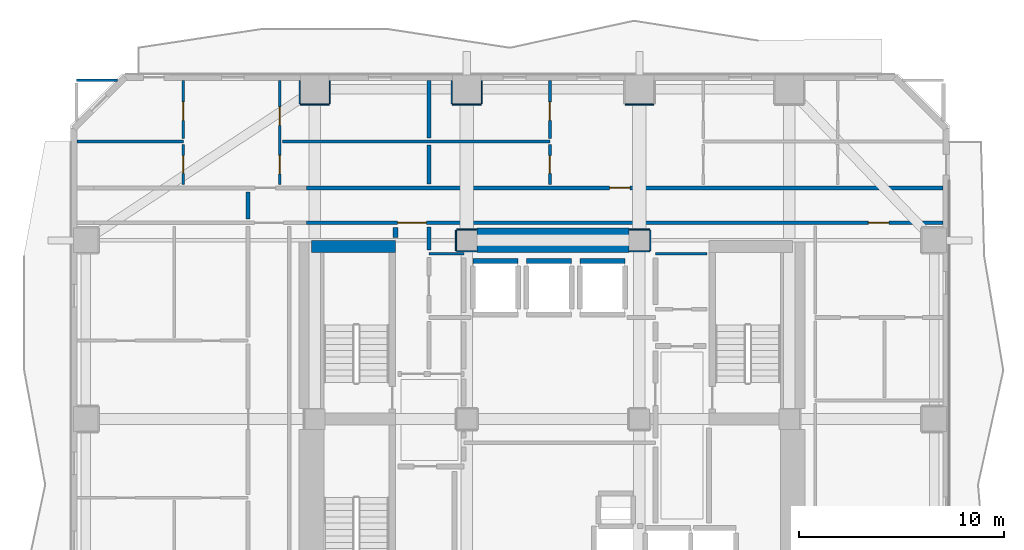
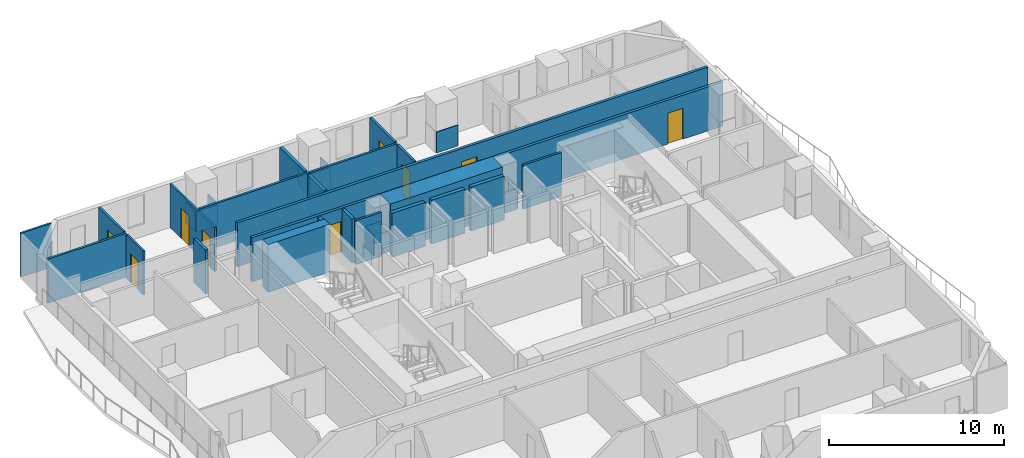
# One storey, part 6 of 11: 35 walls, 9 doors, 9 openings.
"""IFC4 building model written with IfcOpenShell, lengths in metres."""

from ifc_helpers import new_model, si_unit, direction, frame, frame_2d, origin, place, context, subcontext, project, spatial, rectangle, extrude, material, layer, layer_set, type_object, element, fill, save


model = new_model("IFC4")

# Units and contexts
model_context = context("Model", 3, precision=1e-05, world=origin(), true_north=direction((0.0, 1.0)))
body_context = subcontext(model_context, "Body", "Model", "MODEL_VIEW")
ifc_project = project(units=[si_unit("LENGTHUNIT", "METRE"), si_unit("AREAUNIT", "SQUARE_METRE"), si_unit("VOLUMEUNIT", "CUBIC_METRE"), si_unit("PLANEANGLEUNIT", "RADIAN"), si_unit("MASSUNIT", "GRAM", prefix="KILO")], contexts=[model_context])

# Site, building, storey
site_placement = place(None, origin())
site = spatial("IfcSite", under=ifc_project, at=site_placement, CompositionType="ELEMENT")
building_placement = place(site_placement, origin())
building = spatial("IfcBuilding", under=site, at=building_placement, Name="Solanera Arch Residences", CompositionType="ELEMENT")
storey_placement = place(building_placement, frame((0.0, 0.0, 35.280029296875)))
storey = spatial("IfcBuildingStorey", under=building, at=storey_placement, Name="L09", CompositionType="ELEMENT", Elevation=35.280029296875)

# Walls
ifc_material_1 = material(Name="Fire-Rated Gypsum Stud Partition", Category="gypsum")
ifc_layer_1 = layer(ifc_material_1, 0.06005859375)
ifc_layer_set_1 = layer_set([ifc_layer_1], Name="Fire-Rated Gypsum Stud Partition")
wall_type_1 = type_object("IfcWallType", Name="Column Acoustic Furring Wall 60", PredefinedType="PARTITIONING", material=ifc_layer_set_1)
for number, where, z_axis, x_axis, name in (
    (1, (20.300048828125, 38.867919921875, 0.0), (0.0, 0.0, 1.0), (1.0, 0.0, 0.0), "L09 Column Furring 3S"),
    (2, (20.300048828125, 39.931884765625, 0.0), (0.0, 0.0, 1.0), (1.0, 0.0, 0.0), "L09 Column Furring 3N"),
):
    element("IfcWall", number, at=place(storey_placement, frame(where, z_axis=z_axis, x_axis=x_axis)), inside=storey, type_object=wall_type_1, Name=name, PredefinedType="PARTITIONING", context=body_context, shape_type="SweptSolid", body=[
        extrude(rectangle(XDim=0.989990234375, YDim=0.06005859375, at=frame_2d((0.4951171875, 0.0))), origin(), (0.0, 0.0, 1.0), 1.449951171875),
    ])
wall_1_placement = place(storey_placement, frame((20.26806640625, 38.89990234375, 0.0), z_axis=(0.0, 0.0, 1.0), x_axis=(0.0, 1.0, 0.0)))
element("IfcWall", 3, at=wall_1_placement, inside=storey, type_object=wall_type_1, Name="L09 Column Furring 3W", PredefinedType="PARTITIONING", context=body_context, shape_type="SweptSolid", body=[
    extrude(rectangle(XDim=1.0, YDim=0.06005859375, at=frame_2d((0.5, 0.0))), origin(), (0.0, 0.0, 1.0), 1.449951171875),
])
for number, where, z_axis, x_axis, name in (
    (4, (28.7099609375, 38.867919921875, 0.0), (0.0, 0.0, 1.0), (1.0, 0.0, 0.0), "L09 Column Furring 4S"),
    (5, (28.7099609375, 39.931884765625, 0.0), (0.0, 0.0, 1.0), (1.0, 0.0, 0.0), "L09 Column Furring 4N"),
):
    element("IfcWall", number, at=place(storey_placement, frame(where, z_axis=z_axis, x_axis=x_axis)), inside=storey, type_object=wall_type_1, Name=name, PredefinedType="PARTITIONING", context=body_context, shape_type="SweptSolid", body=[
        extrude(rectangle(XDim=0.989990234375, YDim=0.06005859375, at=frame_2d((0.4951171875, 0.0))), origin(), (0.0, 0.0, 1.0), 1.449951171875),
    ])
wall_2_placement = place(storey_placement, frame((29.73193359375, 38.89990234375, 0.0), z_axis=(0.0, 0.0, 1.0), x_axis=(0.0, 1.0, 0.0)))
element("IfcWall", 6, at=wall_2_placement, inside=storey, type_object=wall_type_1, Name="L09 Column Furring 4E", PredefinedType="PARTITIONING", context=body_context, shape_type="SweptSolid", body=[
    extrude(rectangle(XDim=1.0, YDim=0.06005859375, at=frame_2d((0.5, 0.0))), origin(), (0.0, 0.0, 1.0), 1.449951171875),
])
wall_3_placement = place(storey_placement, frame((12.699951171875, 46.01806640625, 0.0), z_axis=(0.0, 0.0, 1.0), x_axis=(1.0, 0.0, 0.0)))
element("IfcWall", 7, at=wall_3_placement, inside=storey, type_object=wall_type_1, Name="L09 Column Furring 10S", PredefinedType="PARTITIONING", context=body_context, shape_type="SweptSolid", body=[
    extrude(rectangle(XDim=1.400146484375, YDim=0.06005859375, at=frame_2d((0.7001953125, 0.0))), origin(), (0.0, 0.0, 1.0), 1.449951171875),
])
for number, where, z_axis, x_axis, name in (
    (8, (12.66796875, 46.050048828125, 0.0), (0.0, 0.0, 1.0), (0.0, 1.0, 0.0), "L09 Column Furring 10W"),
    (9, (14.132080078125, 46.050048828125, 0.0), (0.0, 0.0, 1.0), (0.0, 1.0, 0.0), "L09 Column Furring 10E"),
):
    element("IfcWall", number, at=place(storey_placement, frame(where, z_axis=z_axis, x_axis=x_axis)), inside=storey, type_object=wall_type_1, Name=name, PredefinedType="PARTITIONING", context=body_context, shape_type="SweptSolid", body=[
        extrude(rectangle(XDim=1.119873046875, YDim=0.06005859375, at=frame_2d((0.56005859375, 0.0))), origin(), (0.0, 0.0, 1.0), 1.449951171875),
    ])
wall_4_placement = place(storey_placement, frame((20.10009765625, 46.01806640625, 0.0), z_axis=(0.0, 0.0, 1.0), x_axis=(1.0, 0.0, 0.0)))
element("IfcWall", 10, at=wall_4_placement, inside=storey, type_object=wall_type_1, Name="L09 Column Furring 12S", PredefinedType="PARTITIONING", context=body_context, shape_type="SweptSolid", body=[
    extrude(rectangle(XDim=1.39990234375, YDim=0.06005859375, at=frame_2d((0.699951171875, 0.0))), origin(), (0.0, 0.0, 1.0), 1.449951171875),
])
for number, where, z_axis, x_axis, name in (
    (11, (20.068115234375, 46.050048828125, 0.0), (0.0, 0.0, 1.0), (0.0, 1.0, 0.0), "L09 Column Furring 12W"),
    (12, (21.531982421875, 46.050048828125, 0.0), (0.0, 0.0, 1.0), (0.0, 1.0, 0.0), "L09 Column Furring 12E"),
):
    element("IfcWall", number, at=place(storey_placement, frame(where, z_axis=z_axis, x_axis=x_axis)), inside=storey, type_object=wall_type_1, Name=name, PredefinedType="PARTITIONING", context=body_context, shape_type="SweptSolid", body=[
        extrude(rectangle(XDim=1.119873046875, YDim=0.06005859375, at=frame_2d((0.56005859375, 0.0))), origin(), (0.0, 0.0, 1.0), 1.449951171875),
    ])
wall_5_placement = place(storey_placement, frame((28.5, 46.01806640625, 0.0), z_axis=(0.0, 0.0, 1.0), x_axis=(1.0, 0.0, 0.0)))
element("IfcWall", 13, at=wall_5_placement, inside=storey, type_object=wall_type_1, Name="L09 Column Furring 14S", PredefinedType="PARTITIONING", context=body_context, shape_type="SweptSolid", body=[
    extrude(rectangle(XDim=1.39990234375, YDim=0.06005859375, at=frame_2d((0.699951171875, 0.0))), origin(), (0.0, 0.0, 1.0), 1.449951171875),
])
ifc_material_2 = material(Name="Concrete C55/67 (f'c = 60 MPa)", Category="concrete")
ifc_layer_2 = layer(ifc_material_2, 1.199951171875)
ifc_layer_set_2 = layer_set([ifc_layer_2], Name="Concrete C55/67 (f'c = 60 MPa)")
wall_type_2 = type_object("IfcWallType", Name="Core Shear Wall CW-1200", PredefinedType="SHEAR", material=ifc_layer_set_2)
wall_6_placement = place(storey_placement, frame((21.304931640625, 39.39990234375, 0.0), z_axis=(0.0, 0.0, 1.0), x_axis=(1.0, 0.0, 0.0)))
element("IfcWall", 14, at=wall_6_placement, inside=storey, type_object=wall_type_2, Name="L09 Central North Core Shear Wall", PredefinedType="SHEAR", context=body_context, shape_type="SweptSolid", body=[
    extrude(rectangle(XDim=7.39013671875, YDim=1.199951171875, at=frame_2d((3.695068359375, 0.0))), origin(), (0.0, 0.0, 1.0), 3.320068359375),
])
ifc_material_3 = material(Name="Concrete C40/50 (f'c = 45 MPa)", Category="concrete")
ifc_layer_3 = layer(ifc_material_3, 0.60009765625)
ifc_layer_set_3 = layer_set([ifc_layer_3], Name="Concrete C40/50 (f'c = 45 MPa)")
wall_type_3 = type_object("IfcWallType", Name="Core Shear Wall CW-600", PredefinedType="SHEAR", material=ifc_layer_set_3)
wall_7_placement = place(storey_placement, frame((13.239990234375, 39.10009765625, 0.0), z_axis=(0.0, 0.0, 1.0), x_axis=(1.0, 0.0, 0.0)))
element("IfcWall", 15, at=wall_7_placement, inside=storey, type_object=wall_type_3, Name="L09 North-West Core Shear Wall", PredefinedType="SHEAR", context=body_context, shape_type="SweptSolid", body=[
    extrude(rectangle(XDim=4.080078125, YDim=0.60009765625, at=frame_2d((2.0400390625, 0.0))), origin(), (0.0, 0.0, 1.0), 3.320068359375),
])

# Wall, openings, doors
ifc_material_4 = material(Name="Autoclaved Aerated Concrete Blockwork", Category="masonry")
ifc_layer_4 = layer(ifc_material_4, 0.179931640625)
ifc_layer_set_4 = layer_set([ifc_layer_4], Name="Autoclaved Aerated Concrete Blockwork")
wall_type_4 = type_object("IfcWallType", Name="Corridor Fire Partition 180", PredefinedType="PARTITIONING", material=ifc_layer_set_4)
wall_8_placement = place(storey_placement, frame((12.989013671875, 40.25, 0.0), z_axis=(0.0, 0.0, 1.0), x_axis=(1.0, 0.0, 0.0)))
wall_8 = element("IfcWall", 16, at=wall_8_placement, inside=storey, type_object=wall_type_4, Name="L09 Interior Partition H11 3", PredefinedType="PARTITIONING", context=body_context, shape_type="SweptSolid", body=[
    extrude(rectangle(XDim=30.98388671875, YDim=0.179931640625, at=frame_2d((15.491943359375, 0.0))), origin(), (0.0, 0.0, 1.0), 3.06005859375),
])
opening_1_placement = place(wall_8_placement, frame((4.446044921875, 0.0, 0.0)))
opening_1 = element("IfcOpeningElement", 17, at=opening_1_placement, cuts=wall_8, Name="Opening DF-03", PredefinedType="OPENING", context=body_context, shape_type="SweptSolid", body=[
    extrude(rectangle(XDim=1.39990234375, YDim=2.14990234375, at=frame_2d((0.699951171875, 1.074951171875))), frame((0.0, 0.10009765625, 0.0), z_axis=(0.0, -1.0, 0.0), x_axis=(1.0, 0.0, 0.0)), (0.0, 0.0, 1.0), 0.1999),
])
opening_2_placement = place(wall_8_placement, frame((27.362060546875, 0.0, 0.0)))
opening_2 = element("IfcOpeningElement", 18, at=opening_2_placement, cuts=wall_8, Name="Opening DI-01", PredefinedType="OPENING", context=body_context, shape_type="SweptSolid", body=[
    extrude(rectangle(XDim=1.0, YDim=2.14990234375, at=frame_2d((0.5, 1.074951171875))), frame((0.0, 0.10009765625, 0.0), z_axis=(0.0, -1.0, 0.0), x_axis=(1.0, 0.0, 0.0)), (0.0, 0.0, 1.0), 0.1999),
])
ifc_material_5 = material(Name="Fire-Rated Architectural Hardwood", Category="wood")
door_type_1 = type_object("IfcDoorType", Name="Corridor Smoke Door DF-03", OperationType="NOTDEFINED", PredefinedType="DOOR", material=ifc_material_5)
door_1_placement = place(opening_1_placement, origin())
door_1 = element("IfcDoor", 19, at=door_1_placement, inside=storey, type_object=door_type_1, Name="DR-L09-IN-009", OperationType="SINGLE_SWING_RIGHT", OverallHeight=2.14990234375, OverallWidth=1.39990234375, PredefinedType="DOOR", context=body_context, shape_type="SweptSolid", body=[
    extrude(rectangle(XDim=1.39990234375, YDim=2.14990234375, at=frame_2d((0.699951171875, 1.074951171875))), frame((0.0, 0.02490234375, 0.0), z_axis=(0.0, -1.0, 0.0), x_axis=(1.0, 0.0, 0.0)), (0.0, 0.0, 1.0), 0.050048828125),
])
fill(opening_1, door_1)
ifc_material_6 = material(Name="Fire-Rated Architectural Hardwood", Category="wood")
door_type_2 = type_object("IfcDoorType", Name="Unit Entrance Fire Door DI-01", OperationType="NOTDEFINED", PredefinedType="DOOR", material=ifc_material_6)
door_2_placement = place(opening_2_placement, origin())
door_2 = element("IfcDoor", 20, at=door_2_placement, inside=storey, type_object=door_type_2, Name="DR-L09-IN-046", OperationType="SINGLE_SWING_LEFT", OverallHeight=2.14990234375, OverallWidth=1.0, PredefinedType="DOOR", context=body_context, shape_type="SweptSolid", body=[
    extrude(rectangle(XDim=1.0, YDim=2.14990234375, at=frame_2d((0.5, 1.074951171875))), frame((0.0, 0.02490234375, 0.0), z_axis=(0.0, -1.0, 0.0), x_axis=(1.0, 0.0, 0.0)), (0.0, 0.0, 1.0), 0.050048828125),
])
fill(opening_2, door_2)

# Wall, opening, door
wall_9_placement = place(storey_placement, frame((12.989013671875, 41.949951171875, 0.0), z_axis=(0.0, 0.0, 1.0), x_axis=(1.0, 0.0, 0.0)))
wall_9 = element("IfcWall", 21, at=wall_9_placement, inside=storey, type_object=wall_type_4, Name="L09 Interior Partition H12 3", PredefinedType="PARTITIONING", context=body_context, shape_type="SweptSolid", body=[
    extrude(rectangle(XDim=30.98388671875, YDim=0.179931640625, at=frame_2d((15.491943359375, 0.0))), origin(), (0.0, 0.0, 1.0), 3.06005859375),
])
opening_3_placement = place(wall_9_placement, frame((14.764892578125, 0.0, 0.0)))
opening_3 = element("IfcOpeningElement", 22, at=opening_3_placement, cuts=wall_9, Name="Opening DI-01", PredefinedType="OPENING", context=body_context, shape_type="SweptSolid", body=[
    extrude(rectangle(XDim=1.0, YDim=2.14990234375, at=frame_2d((0.5, 1.074951171875))), frame((0.0, 0.10009765625, 0.0), z_axis=(0.0, -1.0, 0.0), x_axis=(1.0, 0.0, 0.0)), (0.0, 0.0, 1.0), 0.1999),
])
door_3_placement = place(opening_3_placement, origin())
door_3 = element("IfcDoor", 23, at=door_3_placement, inside=storey, type_object=door_type_2, Name="DR-L09-IN-033", OperationType="SINGLE_SWING_RIGHT", OverallHeight=2.14990234375, OverallWidth=1.0, PredefinedType="DOOR", context=body_context, shape_type="SweptSolid", body=[
    extrude(rectangle(XDim=1.0, YDim=2.14990234375, at=frame_2d((0.5, 1.074951171875))), frame((0.0, 0.02490234375, 0.0), z_axis=(0.0, -1.0, 0.0), x_axis=(1.0, 0.0, 0.0)), (0.0, 0.0, 1.0), 0.050048828125),
])
fill(opening_3, door_3)

# Walls
wall_10_placement = place(storey_placement, frame((10.14990234375, 40.43798828125, 0.0), z_axis=(0.0, 0.0, 1.0), x_axis=(0.0, 1.0, 0.0)))
element("IfcWall", 24, at=wall_10_placement, inside=storey, type_object=wall_type_4, Name="L09 Interior Partition V8 5", PredefinedType="PARTITIONING", context=body_context, shape_type="SweptSolid", body=[
    extrude(rectangle(XDim=1.323974609375, YDim=0.179931640625, at=frame_2d((0.662109375, 0.0))), origin(), (0.0, 0.0, 1.0), 3.06005859375),
])
ifc_material_7 = material(Name="Autoclaved Aerated Concrete Blockwork", Category="masonry")
ifc_layer_5 = layer(ifc_material_7, 0.199951171875)
ifc_layer_set_5 = layer_set([ifc_layer_5], Name="Autoclaved Aerated Concrete Blockwork")
wall_type_5 = type_object("IfcWallType", Name="Party Wall Acoustic 200", PredefinedType="PARTITIONING", material=ifc_layer_set_5)
wall_11_placement = place(storey_placement, frame((18.949951171875, 38.927978515625, 0.0), z_axis=(0.0, 0.0, 1.0), x_axis=(0.0, 1.0, 0.0)))
element("IfcWall", 25, at=wall_11_placement, inside=storey, type_object=wall_type_5, Name="L09 Interior Partition V6 3", PredefinedType="PARTITIONING", context=body_context, shape_type="SweptSolid", body=[
    extrude(rectangle(XDim=1.1240234375, YDim=0.199951171875, at=frame_2d((0.56201171875, 0.0))), origin(), (0.0, 0.0, 1.0), 3.06005859375),
])
wall_12_placement = place(storey_placement, frame((18.949951171875, 42.14794921875, 0.0), z_axis=(0.0, 0.0, 1.0), x_axis=(0.0, 1.0, 0.0)))
element("IfcWall", 26, at=wall_12_placement, inside=storey, type_object=wall_type_5, Name="L09 Interior Partition V7 1", PredefinedType="PARTITIONING", context=body_context, shape_type="SweptSolid", body=[
    extrude(rectangle(XDim=1.882080078125, YDim=0.199951171875, at=frame_2d((0.94091796875, 0.0))), origin(), (0.0, 0.0, 1.0), 3.06005859375),
])
wall_13_placement = place(storey_placement, frame((18.949951171875, 44.385986328125, 0.0), z_axis=(0.0, 0.0, 1.0), x_axis=(0.0, 1.0, 0.0)))
element("IfcWall", 27, at=wall_13_placement, inside=storey, type_object=wall_type_5, Name="L09 Interior Partition V7 2", PredefinedType="PARTITIONING", context=body_context, shape_type="SweptSolid", body=[
    extrude(rectangle(XDim=2.787109375, YDim=0.199951171875, at=frame_2d((1.3935546875, 0.0))), origin(), (0.0, 0.0, 1.0), 3.06005859375),
])
ifc_material_8 = material(Name="Autoclaved Aerated Concrete Blockwork", Category="masonry")
ifc_layer_6 = layer(ifc_material_8, 0.239990234375)
ifc_layer_set_6 = layer_set([ifc_layer_6], Name="Autoclaved Aerated Concrete Blockwork")
wall_type_6 = type_object("IfcWallType", Name="Shaft Wall Fire-Rated 240", PredefinedType="PARTITIONING", material=ifc_layer_set_6)
for number, where, z_axis, x_axis, name in (
    (28, (21.10009765625, 38.39990234375, 0.0), (0.0, 0.0, 1.0), (1.0, 0.0, 0.0), "L09 Lift PL-L1 Hoistway Wall N"),
    (29, (23.699951171875, 38.39990234375, 0.0), (0.0, 0.0, 1.0), (1.0, 0.0, 0.0), "L09 Lift PL-L2 Hoistway Wall N"),
    (30, (26.300048828125, 38.39990234375, 0.0), (0.0, 0.0, 1.0), (1.0, 0.0, 0.0), "L09 Lift PL-L3 Hoistway Wall N"),
):
    element("IfcWall", number, at=place(storey_placement, frame(where, z_axis=z_axis, x_axis=x_axis)), inside=storey, type_object=wall_type_6, Name=name, PredefinedType="PARTITIONING", context=body_context, shape_type="SweptSolid", body=[
        extrude(rectangle(XDim=2.199951171875, YDim=0.239990234375, at=frame_2d((1.10009765625, 0.0))), origin(), (0.0, 0.0, 1.0), 3.06005859375),
    ])
wall_14_placement = place(storey_placement, frame((17.320068359375, 39.530029296875, 0.0), z_axis=(0.0, 0.0, 1.0), x_axis=(0.0, 1.0, 0.0)))
element("IfcWall", 31, at=wall_14_placement, inside=storey, type_object=wall_type_6, Name="L09 Interior Partition V1", PredefinedType="PARTITIONING", context=body_context, shape_type="SweptSolid", body=[
    extrude(rectangle(XDim=0.501953125, YDim=0.239990234375, at=frame_2d((0.2509765625, 0.0))), origin(), (0.0, 0.0, 1.0), 3.06005859375),
])
ifc_material_9 = material(Name="Fire-Rated Gypsum Stud Partition", Category="gypsum")
ifc_layer_7 = layer(ifc_material_9, 0.1201171875)
ifc_layer_set_7 = layer_set([ifc_layer_7], Name="Fire-Rated Gypsum Stud Partition")
wall_type_7 = type_object("IfcWallType", Name="Unit Drywall Partition 120", PredefinedType="PARTITIONING", material=ifc_layer_set_7)
wall_15_placement = place(storey_placement, frame((1.800048828125, 47.199951171875, 0.0), z_axis=(0.0, 0.0, 1.0), x_axis=(1.0, 0.0, 0.0)))
element("IfcWall", 32, at=wall_15_placement, inside=storey, type_object=wall_type_7, Name="L09 Interior Partition H24 1", PredefinedType="PARTITIONING", context=body_context, shape_type="SweptSolid", body=[
    extrude(rectangle(XDim=2.0009765625, YDim=0.1201171875, at=frame_2d((1.00048828125, 0.0))), origin(), (0.0, 0.0, 1.0), 3.06005859375),
])

# Wall, openings, doors
wall_16_placement = place(storey_placement, frame((11.68798828125, 42.10791015625, 0.0), z_axis=(0.0, 0.0, 1.0), x_axis=(0.0, 1.0, 0.0)))
wall_16 = element("IfcWall", 33, at=wall_16_placement, inside=storey, type_object=wall_type_7, Name="L09 Interior Partition V23", PredefinedType="PARTITIONING", context=body_context, shape_type="SweptSolid", body=[
    extrude(rectangle(XDim=5.065185546875, YDim=0.1201171875, at=frame_2d((2.53271484375, 0.0))), origin(), (0.0, 0.0, 1.0), 3.06005859375),
])
opening_4_placement = place(wall_16_placement, frame((0.533935546875, 0.0, 0.0)))
opening_4 = element("IfcOpeningElement", 34, at=opening_4_placement, cuts=wall_16, Name="Opening DI-02", PredefinedType="OPENING", context=body_context, shape_type="SweptSolid", body=[
    extrude(rectangle(XDim=0.89990234375, YDim=2.10009765625, at=frame_2d((0.449951171875, 1.050048828125))), frame((0.0, 0.070068359375, 0.0), z_axis=(0.0, -1.0, 0.0), x_axis=(1.0, 0.0, 0.0)), (0.0, 0.0, 1.0), 0.1401),
])
opening_5_placement = place(wall_16_placement, frame((2.89306640625, 0.0, 0.0)))
opening_5 = element("IfcOpeningElement", 35, at=opening_5_placement, cuts=wall_16, Name="Opening DI-03", PredefinedType="OPENING", context=body_context, shape_type="SweptSolid", body=[
    extrude(rectangle(XDim=0.89990234375, YDim=2.10009765625, at=frame_2d((0.449951171875, 1.050048828125))), frame((0.0, 0.070068359375, 0.0), z_axis=(0.0, -1.0, 0.0), x_axis=(1.0, 0.0, 0.0)), (0.0, 0.0, 1.0), 0.1401),
])
ifc_material_10 = material(Name="Fire-Rated Architectural Hardwood", Category="wood")
door_type_3 = type_object("IfcDoorType", Name="Bedroom Swing Door DI-03", OperationType="NOTDEFINED", PredefinedType="DOOR", material=ifc_material_10)
door_4_placement = place(opening_5_placement, origin())
door_4 = element("IfcDoor", 36, at=door_4_placement, inside=storey, type_object=door_type_3, Name="DR-L09-IN-032", OperationType="SINGLE_SWING_LEFT", OverallHeight=2.10009765625, OverallWidth=0.89990234375, PredefinedType="DOOR", context=body_context, shape_type="SweptSolid", body=[
    extrude(rectangle(XDim=0.89990234375, YDim=2.10009765625, at=frame_2d((0.449951171875, 1.050048828125))), frame((0.0, 0.02490234375, 0.0), z_axis=(0.0, -1.0, 0.0), x_axis=(1.0, 0.0, 0.0)), (0.0, 0.0, 1.0), 0.050048828125),
])
fill(opening_5, door_4)
ifc_material_11 = material(Name="Fire-Rated Architectural Hardwood", Category="wood")
door_type_4 = type_object("IfcDoorType", Name="Suite Room Swing Door DI-02", OperationType="NOTDEFINED", PredefinedType="DOOR", material=ifc_material_11)
door_5_placement = place(opening_4_placement, origin())
door_5 = element("IfcDoor", 37, at=door_5_placement, inside=storey, type_object=door_type_4, Name="DR-L09-IN-031", OperationType="SINGLE_SWING_RIGHT", OverallHeight=2.10009765625, OverallWidth=0.89990234375, PredefinedType="DOOR", context=body_context, shape_type="SweptSolid", body=[
    extrude(rectangle(XDim=0.89990234375, YDim=2.10009765625, at=frame_2d((0.449951171875, 1.050048828125))), frame((0.0, 0.02490234375, 0.0), z_axis=(0.0, -1.0, 0.0), x_axis=(1.0, 0.0, 0.0)), (0.0, 0.0, 1.0), 0.050048828125),
])
fill(opening_4, door_5)

# Walls
ifc_material_12 = material(Name="Autoclaved Aerated Concrete Blockwork", Category="masonry")
ifc_layer_8 = layer(ifc_material_12, 0.139892578125)
ifc_layer_set_8 = layer_set([ifc_layer_8], Name="Autoclaved Aerated Concrete Blockwork")
wall_type_8 = type_object("IfcWallType", Name="Wet-Room Partition 140", PredefinedType="PARTITIONING", material=ifc_layer_set_8)
wall_17_placement = place(storey_placement, frame((18.949951171875, 38.75, 0.0), z_axis=(0.0, 0.0, 1.0), x_axis=(1.0, 0.0, 0.0)))
element("IfcWall", 38, at=wall_17_placement, inside=storey, type_object=wall_type_8, Name="L09 Interior Partition H17", PredefinedType="PARTITIONING", context=body_context, shape_type="SweptSolid", body=[
    extrude(rectangle(XDim=1.699951171875, YDim=0.139892578125, at=frame_2d((0.85009765625, 0.0))), origin(), (0.0, 0.0, 1.0), 3.06005859375),
])
wall_18_placement = place(storey_placement, frame((29.97509765625, 38.75, 0.0), z_axis=(0.0, 0.0, 1.0), x_axis=(1.0, 0.0, 0.0)))
element("IfcWall", 39, at=wall_18_placement, inside=storey, type_object=wall_type_8, Name="L09 Interior Partition H18", PredefinedType="PARTITIONING", context=body_context, shape_type="SweptSolid", body=[
    extrude(rectangle(XDim=2.52490234375, YDim=0.139892578125, at=frame_2d((1.262451171875, 0.0))), origin(), (0.0, 0.0, 1.0), 3.06005859375),
])
wall_19_placement = place(storey_placement, frame((1.826904296875, 44.2080078125, 0.0), z_axis=(0.0, 0.0, 1.0), x_axis=(1.0, 0.0, 0.0)))
element("IfcWall", 40, at=wall_19_placement, inside=storey, type_object=wall_type_8, Name="L09 Interior Partition H19", PredefinedType="PARTITIONING", context=body_context, shape_type="SweptSolid", body=[
    extrude(rectangle(XDim=5.169189453125, YDim=0.139892578125, at=frame_2d((2.58447265625, 0.0))), origin(), (0.0, 0.0, 1.0), 3.06005859375),
])
wall_20_placement = place(storey_placement, frame((11.820068359375, 44.2080078125, 0.0), z_axis=(0.0, 0.0, 1.0), x_axis=(1.0, 0.0, 0.0)))
element("IfcWall", 41, at=wall_20_placement, inside=storey, type_object=wall_type_8, Name="L09 Interior Partition H20", PredefinedType="PARTITIONING", context=body_context, shape_type="SweptSolid", body=[
    extrude(rectangle(XDim=13.02197265625, YDim=0.139892578125, at=frame_2d((6.510986328125, 0.0))), origin(), (0.0, 0.0, 1.0), 3.06005859375),
])

# Wall, opening, door
wall_21_placement = place(storey_placement, frame((6.99609375, 42.117919921875, 0.0), z_axis=(0.0, 0.0, 1.0), x_axis=(0.0, 1.0, 0.0)))
wall_21 = element("IfcWall", 42, at=wall_21_placement, inside=storey, type_object=wall_type_8, Name="L09 Interior Partition V17 1", PredefinedType="PARTITIONING", context=body_context, shape_type="SweptSolid", body=[
    extrude(rectangle(XDim=1.942138671875, YDim=0.139892578125, at=frame_2d((0.97119140625, 0.0))), origin(), (0.0, 0.0, 1.0), 3.06005859375),
])
opening_6_placement = place(wall_21_placement, frame((0.5439453125, 0.0, 0.0)))
opening_6 = element("IfcOpeningElement", 43, at=opening_6_placement, cuts=wall_21, Name="Opening DI-05", PredefinedType="OPENING", context=body_context, shape_type="SweptSolid", body=[
    extrude(rectangle(XDim=0.860107421875, YDim=2.02001953125, at=frame_2d((0.43017578125, 1.010009765625))), frame((0.0, 0.079833984375, 0.0), z_axis=(0.0, -1.0, 0.0), x_axis=(1.0, 0.0, 0.0)), (0.0, 0.0, 1.0), 0.1599),
])
ifc_material_13 = material(Name="Fire-Rated Architectural Hardwood", Category="wood")
door_type_5 = type_object("IfcDoorType", Name="Bathroom Swing Door DI-05", OperationType="NOTDEFINED", PredefinedType="DOOR", material=ifc_material_13)
door_6_placement = place(opening_6_placement, origin())
door_6 = element("IfcDoor", 44, at=door_6_placement, inside=storey, type_object=door_type_5, Name="DR-L09-IN-029", OperationType="SINGLE_SWING_RIGHT", OverallHeight=2.02001953125, OverallWidth=0.860107421875, PredefinedType="DOOR", context=body_context, shape_type="SweptSolid", body=[
    extrude(rectangle(XDim=0.860107421875, YDim=2.02001953125, at=frame_2d((0.43017578125, 1.010009765625))), frame((0.0, 0.02490234375, 0.0), z_axis=(0.0, -1.0, 0.0), x_axis=(1.0, 0.0, 0.0)), (0.0, 0.0, 1.0), 0.050048828125),
])
fill(opening_6, door_6)

wall_22_placement = place(storey_placement, frame((6.99609375, 44.35595703125, 0.0), z_axis=(0.0, 0.0, 1.0), x_axis=(0.0, 1.0, 0.0)))
wall_22 = element("IfcWall", 45, at=wall_22_placement, inside=storey, type_object=wall_type_8, Name="L09 Interior Partition V17 2", PredefinedType="PARTITIONING", context=body_context, shape_type="SweptSolid", body=[
    extrude(rectangle(XDim=2.817138671875, YDim=0.139892578125, at=frame_2d((1.40869140625, 0.0))), origin(), (0.0, 0.0, 1.0), 3.06005859375),
])
opening_7_placement = place(wall_22_placement, frame((0.885009765625, 0.0, 0.0)))
opening_7 = element("IfcOpeningElement", 46, at=opening_7_placement, cuts=wall_22, Name="Opening DI-03", PredefinedType="OPENING", context=body_context, shape_type="SweptSolid", body=[
    extrude(rectangle(XDim=0.89990234375, YDim=2.10009765625, at=frame_2d((0.449951171875, 1.050048828125))), frame((0.0, 0.079833984375, 0.0), z_axis=(0.0, -1.0, 0.0), x_axis=(1.0, 0.0, 0.0)), (0.0, 0.0, 1.0), 0.1599),
])
door_7_placement = place(opening_7_placement, origin())
door_7 = element("IfcDoor", 47, at=door_7_placement, inside=storey, type_object=door_type_3, Name="DR-L09-IN-030", OperationType="SINGLE_SWING_LEFT", OverallHeight=2.10009765625, OverallWidth=0.89990234375, PredefinedType="DOOR", context=body_context, shape_type="SweptSolid", body=[
    extrude(rectangle(XDim=0.89990234375, YDim=2.10009765625, at=frame_2d((0.449951171875, 1.050048828125))), frame((0.0, 0.02490234375, 0.0), z_axis=(0.0, -1.0, 0.0), x_axis=(1.0, 0.0, 0.0)), (0.0, 0.0, 1.0), 0.050048828125),
])
fill(opening_7, door_7)

wall_23_placement = place(storey_placement, frame((24.842041015625, 42.117919921875, 0.0), z_axis=(0.0, 0.0, 1.0), x_axis=(0.0, 1.0, 0.0)))
wall_23 = element("IfcWall", 48, at=wall_23_placement, inside=storey, type_object=wall_type_8, Name="L09 Interior Partition V19 1", PredefinedType="PARTITIONING", context=body_context, shape_type="SweptSolid", body=[
    extrude(rectangle(XDim=1.942138671875, YDim=0.139892578125, at=frame_2d((0.97119140625, 0.0))), origin(), (0.0, 0.0, 1.0), 3.06005859375),
])
opening_8_placement = place(wall_23_placement, frame((0.5439453125, 0.0, 0.0)))
opening_8 = element("IfcOpeningElement", 49, at=opening_8_placement, cuts=wall_23, Name="Opening DI-05", PredefinedType="OPENING", context=body_context, shape_type="SweptSolid", body=[
    extrude(rectangle(XDim=0.860107421875, YDim=2.02001953125, at=frame_2d((0.43017578125, 1.010009765625))), frame((0.0, 0.079833984375, 0.0), z_axis=(0.0, -1.0, 0.0), x_axis=(1.0, 0.0, 0.0)), (0.0, 0.0, 1.0), 0.1599),
])
door_8_placement = place(opening_8_placement, origin())
door_8 = element("IfcDoor", 50, at=door_8_placement, inside=storey, type_object=door_type_5, Name="DR-L09-IN-034", OperationType="SINGLE_SWING_LEFT", OverallHeight=2.02001953125, OverallWidth=0.860107421875, PredefinedType="DOOR", context=body_context, shape_type="SweptSolid", body=[
    extrude(rectangle(XDim=0.860107421875, YDim=2.02001953125, at=frame_2d((0.43017578125, 1.010009765625))), frame((0.0, 0.02490234375, 0.0), z_axis=(0.0, -1.0, 0.0), x_axis=(1.0, 0.0, 0.0)), (0.0, 0.0, 1.0), 0.050048828125),
])
fill(opening_8, door_8)

wall_24_placement = place(storey_placement, frame((24.842041015625, 44.35595703125, 0.0), z_axis=(0.0, 0.0, 1.0), x_axis=(0.0, 1.0, 0.0)))
wall_24 = element("IfcWall", 51, at=wall_24_placement, inside=storey, type_object=wall_type_8, Name="L09 Interior Partition V19 2", PredefinedType="PARTITIONING", context=body_context, shape_type="SweptSolid", body=[
    extrude(rectangle(XDim=2.817138671875, YDim=0.139892578125, at=frame_2d((1.40869140625, 0.0))), origin(), (0.0, 0.0, 1.0), 3.06005859375),
])
opening_9_placement = place(wall_24_placement, frame((0.885009765625, 0.0, 0.0)))
opening_9 = element("IfcOpeningElement", 52, at=opening_9_placement, cuts=wall_24, Name="Opening DI-03", PredefinedType="OPENING", context=body_context, shape_type="SweptSolid", body=[
    extrude(rectangle(XDim=0.89990234375, YDim=2.10009765625, at=frame_2d((0.449951171875, 1.050048828125))), frame((0.0, 0.079833984375, 0.0), z_axis=(0.0, -1.0, 0.0), x_axis=(1.0, 0.0, 0.0)), (0.0, 0.0, 1.0), 0.1599),
])
door_9_placement = place(opening_9_placement, origin())
door_9 = element("IfcDoor", 53, at=door_9_placement, inside=storey, type_object=door_type_3, Name="DR-L09-IN-035", OperationType="SINGLE_SWING_RIGHT", OverallHeight=2.10009765625, OverallWidth=0.89990234375, PredefinedType="DOOR", context=body_context, shape_type="SweptSolid", body=[
    extrude(rectangle(XDim=0.89990234375, YDim=2.10009765625, at=frame_2d((0.449951171875, 1.050048828125))), frame((0.0, 0.02490234375, 0.0), z_axis=(0.0, -1.0, 0.0), x_axis=(1.0, 0.0, 0.0)), (0.0, 0.0, 1.0), 0.050048828125),
])
fill(opening_9, door_9)

save(model, "model.ifc")
